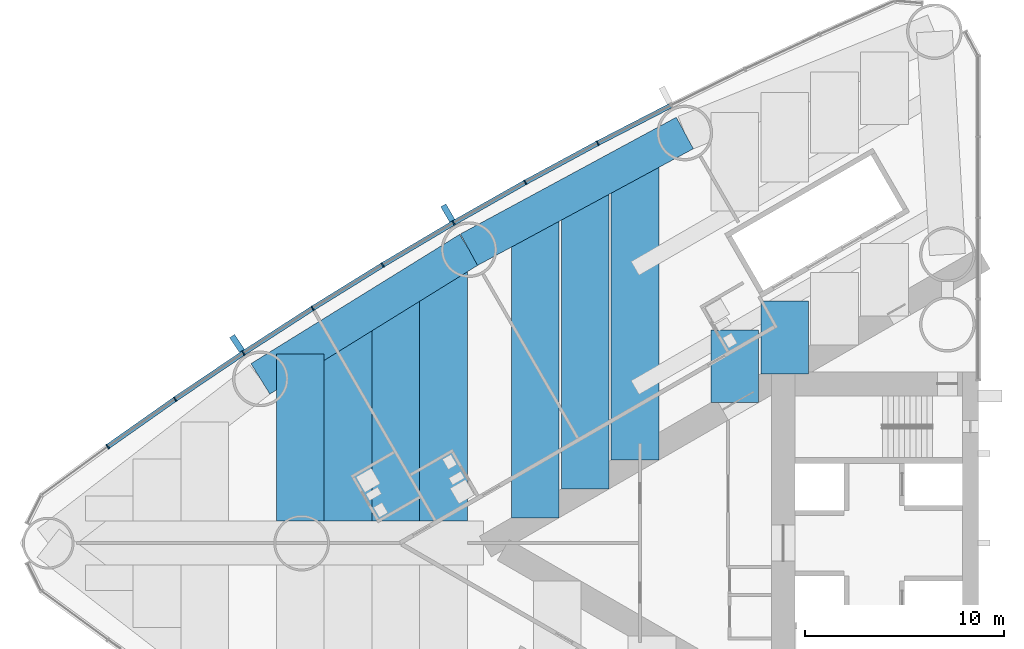
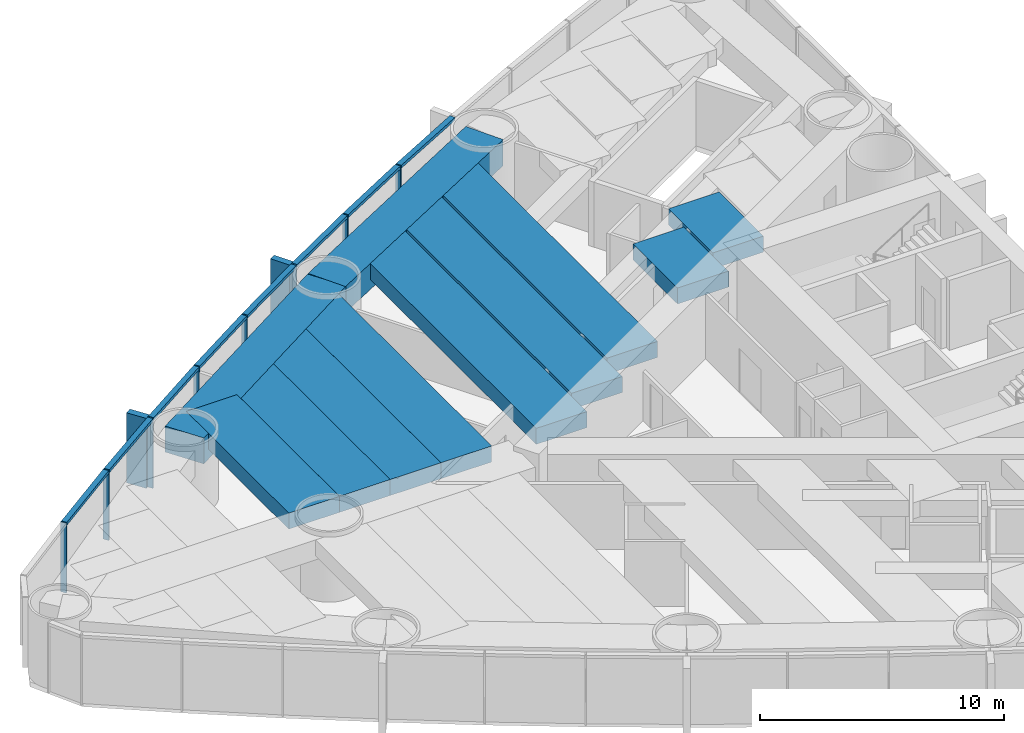
# One storey, part 4 of 19: 18 members, 11 beams, 1 element without a shape of its own.
"""IFC4 building model written with IfcOpenShell, lengths in metres."""

from ifc_helpers import new_model, si_unit, direction, frame, origin, origin_2d, place, context, subcontext, project, spatial, rectangle, extrude, material, material_profile, profile_set, type_object, element, aggregate, save


model = new_model("IFC4")

# Units and contexts
model_context = context("Model", 3, precision=1e-05, world=origin(), true_north=direction((0.0, 1.0)))
body_context = subcontext(model_context, "Body", "Model", "MODEL_VIEW")
ifc_project = project(units=[si_unit("LENGTHUNIT", "METRE"), si_unit("AREAUNIT", "SQUARE_METRE"), si_unit("VOLUMEUNIT", "CUBIC_METRE"), si_unit("PLANEANGLEUNIT", "RADIAN"), si_unit("MASSUNIT", "GRAM", prefix="KILO")], contexts=[model_context])

# Site, building, storey
site_placement = place(None, origin())
site = spatial("IfcSite", under=ifc_project, at=site_placement, CompositionType="ELEMENT")
building_placement = place(site_placement, origin())
building = spatial("IfcBuilding", under=site, at=building_placement, Name="Lancet Gate Hotel", CompositionType="ELEMENT")
storey_placement = place(building_placement, frame((0.0, 0.0, 35.5)))
storey = spatial("IfcBuildingStorey", under=building, at=storey_placement, Name="L08", CompositionType="ELEMENT", Elevation=35.5)

# Curtain wall, members
ifc_material_1 = material(Name="Aluminium curtain wall", Category="aluminium")
curtain_wall_type = type_object("IfcCurtainWallType", Name="Tower unitised curtain wall", PredefinedType="USERDEFINED", material=ifc_material_1)
curtain_wall_placement = place(storey_placement, origin())
curtain_wall = element("IfcCurtainWall", 1, at=curtain_wall_placement, inside=storey, type_object=curtain_wall_type, Name="T1 L08 curtain wall 2", ObjectType="UNITISED CURTAIN WALL", PredefinedType="USERDEFINED")
ifc_material_2 = material(Name="Aluminium mullion", Category="aluminium")
ifc_material_profile_1 = material_profile(ifc_material_2, rectangle(XDim=0.06494140625, YDim=0.25, at=origin_2d()), Name="MULLION 65x250")
ifc_profile_set_1 = profile_set([ifc_material_profile_1], Name="Aluminium mullion")
member_type_1 = type_object("IfcMemberType", Name="Aluminium mullion 65x250", PredefinedType="MULLION", material=ifc_profile_set_1)
member_1_placement = place(storey_placement, frame((-46.6220703125, 20.094970703125, 0.0), z_axis=(0.0, 0.0, 1.0), x_axis=(-0.884311132302, -0.466898084475, 0.0)))
member_1 = element("IfcMember", 2, at=member_1_placement, type_object=member_type_1, Name="T1 L08 curtain wall 2 mullion 6", PredefinedType="MULLION", context=body_context, shape_type="SweptSolid", body=[
    extrude(rectangle(XDim=0.06494140625, YDim=0.25, at=origin_2d()), origin(), (0.0, 0.0, 1.0), 3.5),
])
member_2_placement = place(storey_placement, frame((-50.26416015625, 18.1259765625, 0.0), z_axis=(0.0, 0.0, 1.0), x_axis=(-0.874991035403, -0.484139120464, 0.0)))
member_2 = element("IfcMember", 3, at=member_2_placement, type_object=member_type_1, Name="T1 L08 curtain wall 2 mullion 7", PredefinedType="MULLION", context=body_context, shape_type="SweptSolid", body=[
    extrude(rectangle(XDim=0.06494140625, YDim=0.25, at=origin_2d()), origin(), (0.0, 0.0, 1.0), 3.5),
])
member_3_placement = place(storey_placement, frame((-53.866943359375, 16.086181640625, 0.0), z_axis=(0.0, 0.0, 1.0), x_axis=(-0.86533483912, -0.501194190115, 0.0)))
member_3 = element("IfcMember", 4, at=member_3_placement, type_object=member_type_1, Name="T1 L08 curtain wall 2 mullion 8", PredefinedType="MULLION", context=body_context, shape_type="SweptSolid", body=[
    extrude(rectangle(XDim=0.06494140625, YDim=0.25, at=origin_2d()), origin(), (0.0, 0.0, 1.0), 3.5),
])
member_4_placement = place(storey_placement, frame((-57.42919921875, 13.97607421875, 0.0), z_axis=(0.0, 0.0, 1.0), x_axis=(-0.855346252548, -0.518056742309, 0.0)))
member_4 = element("IfcMember", 5, at=member_4_placement, type_object=member_type_1, Name="T1 L08 curtain wall 2 mullion 9", PredefinedType="MULLION", context=body_context, shape_type="SweptSolid", body=[
    extrude(rectangle(XDim=0.06494140625, YDim=0.25, at=origin_2d()), origin(), (0.0, 0.0, 1.0), 3.5),
])
member_5_placement = place(storey_placement, frame((-60.949462890625, 11.796630859375, 0.0), z_axis=(0.0, 0.0, 1.0), x_axis=(-0.845029112489, -0.534720299827, 0.0)))
member_5 = element("IfcMember", 6, at=member_5_placement, type_object=member_type_1, Name="T1 L08 curtain wall 2 mullion 10", PredefinedType="MULLION", context=body_context, shape_type="SweptSolid", body=[
    extrude(rectangle(XDim=0.06494140625, YDim=0.25, at=origin_2d()), origin(), (0.0, 0.0, 1.0), 3.5),
])
member_6_placement = place(storey_placement, frame((-64.42626953125, 9.548583984375, 0.0), z_axis=(0.0, 0.0, 1.0), x_axis=(-0.834387381945, -0.55117846189, 0.0)))
member_6 = element("IfcMember", 7, at=member_6_placement, type_object=member_type_1, Name="T1 L08 curtain wall 2 mullion 11", PredefinedType="MULLION", context=body_context, shape_type="SweptSolid", body=[
    extrude(rectangle(XDim=0.06494140625, YDim=0.25, at=origin_2d()), origin(), (0.0, 0.0, 1.0), 3.5),
])
member_7_placement = place(storey_placement, frame((-67.858154296875, 7.232666015625, 0.0), z_axis=(0.0, 0.0, 1.0), x_axis=(-0.823425148573, -0.56742490666, 0.0)))
member_7 = element("IfcMember", 8, at=member_7_placement, type_object=member_type_1, Name="T1 L08 curtain wall 2 mullion 12", PredefinedType="MULLION", context=body_context, shape_type="SweptSolid", body=[
    extrude(rectangle(XDim=0.06494140625, YDim=0.25, at=origin_2d()), origin(), (0.0, 0.0, 1.0), 3.5),
])
member_8_placement = place(storey_placement, frame((-71.244384765625, 4.85009765625, 0.0), z_axis=(0.0, 0.0, 1.0), x_axis=(-0.812146623168, -0.583453393578, 0.0)))
member_8 = element("IfcMember", 9, at=member_8_placement, type_object=member_type_1, Name="T1 L08 curtain wall 2 mullion 13", PredefinedType="MULLION", context=body_context, shape_type="SweptSolid", body=[
    extrude(rectangle(XDim=0.06494140625, YDim=0.25, at=origin_2d()), origin(), (0.0, 0.0, 1.0), 3.5),
])
ifc_material_3 = material(Name="Aluminium transom", Category="aluminium")
ifc_material_profile_2 = material_profile(ifc_material_3, rectangle(XDim=0.25, YDim=0.14990234375, at=origin_2d()), Name="TRANSOM 250x150")
ifc_profile_set_2 = profile_set([ifc_material_profile_2], Name="Aluminium transom")
member_type_2 = type_object("IfcMemberType", Name="Aluminium transom 250x150", PredefinedType="USERDEFINED", material=ifc_profile_set_2)
member_9_placement = place(storey_placement, frame((-42.970703125, 21.97705078125, 3.425048828125), z_axis=(-0.888859972399, -0.458178949175, 0.0), x_axis=(0.458178949175, -0.888859972399, 0.0)))
member_9 = element("IfcMember", 10, at=member_9_placement, type_object=member_type_2, Name="T1 L08 curtain wall 2 transom 5", ObjectType="TRANSOM", PredefinedType="USERDEFINED", context=body_context, shape_type="SweptSolid", body=[
    extrude(rectangle(XDim=0.25, YDim=0.14990234375, at=origin_2d()), origin(), (0.0, 0.0, 1.0), 4.0751953125),
])
member_10_placement = place(storey_placement, frame((-46.650634765625, 20.079345703125, 3.425048828125), z_axis=(-0.87971396408, -0.475503250675, 0.0), x_axis=(0.475503250675, -0.87971396408, 0.0)))
member_10 = element("IfcMember", 11, at=member_10_placement, type_object=member_type_2, Name="T1 L08 curtain wall 2 transom 6", ObjectType="TRANSOM", PredefinedType="USERDEFINED", context=body_context, shape_type="SweptSolid", body=[
    extrude(rectangle(XDim=0.25, YDim=0.14990234375, at=origin_2d()), origin(), (0.0, 0.0, 1.0), 4.0751953125),
])
member_11_placement = place(storey_placement, frame((-50.29248046875, 18.110107421875, 3.425048828125), z_axis=(-0.870197729943, -0.492702659625, 0.0), x_axis=(0.492702659625, -0.870197729943, 0.0)))
member_11 = element("IfcMember", 12, at=member_11_placement, type_object=member_type_2, Name="T1 L08 curtain wall 2 transom 7", ObjectType="TRANSOM", PredefinedType="USERDEFINED", context=body_context, shape_type="SweptSolid", body=[
    extrude(rectangle(XDim=0.25, YDim=0.14990234375, at=origin_2d()), origin(), (0.0, 0.0, 1.0), 4.0751953125),
])
member_12_placement = place(storey_placement, frame((-53.89501953125, 16.069580078125, 3.425048828125), z_axis=(-0.86039174806, -0.509633240547, 0.0), x_axis=(0.509633240547, -0.86039174806, 0.0)))
member_12 = element("IfcMember", 13, at=member_12_placement, type_object=member_type_2, Name="T1 L08 curtain wall 2 transom 8", ObjectType="TRANSOM", PredefinedType="USERDEFINED", context=body_context, shape_type="SweptSolid", body=[
    extrude(rectangle(XDim=0.25, YDim=0.14990234375, at=origin_2d()), origin(), (0.0, 0.0, 1.0), 4.0751953125),
])
member_13_placement = place(storey_placement, frame((-57.456787109375, 13.958984375, 3.425048828125), z_axis=(-0.850242165643, -0.526391736032, 0.0), x_axis=(0.526391736032, -0.850242165643, 0.0)))
member_13 = element("IfcMember", 14, at=member_13_placement, type_object=member_type_2, Name="T1 L08 curtain wall 2 transom 9", ObjectType="TRANSOM", PredefinedType="USERDEFINED", context=body_context, shape_type="SweptSolid", body=[
    extrude(rectangle(XDim=0.25, YDim=0.14990234375, at=origin_2d()), origin(), (0.0, 0.0, 1.0), 4.075439453125),
])
member_14_placement = place(storey_placement, frame((-60.976806640625, 11.779052734375, 3.425048828125), z_axis=(-0.839729242404, -0.543005340169, 0.0), x_axis=(0.543005340169, -0.839729242404, 0.0)))
member_14 = element("IfcMember", 15, at=member_14_placement, type_object=member_type_2, Name="T1 L08 curtain wall 2 transom 10", ObjectType="TRANSOM", PredefinedType="USERDEFINED", context=body_context, shape_type="SweptSolid", body=[
    extrude(rectangle(XDim=0.25, YDim=0.14990234375, at=origin_2d()), origin(), (0.0, 0.0, 1.0), 4.0751953125),
])
member_15_placement = place(storey_placement, frame((-64.453125, 9.5302734375, 3.425048828125), z_axis=(-0.828959086782, -0.559309245804, 0.0), x_axis=(0.559309245804, -0.828959086782, 0.0)))
member_15 = element("IfcMember", 16, at=member_15_placement, type_object=member_type_2, Name="T1 L08 curtain wall 2 transom 11", ObjectType="TRANSOM", PredefinedType="USERDEFINED", context=body_context, shape_type="SweptSolid", body=[
    extrude(rectangle(XDim=0.25, YDim=0.14990234375, at=origin_2d()), origin(), (0.0, 0.0, 1.0), 4.0751953125),
])
member_16_placement = place(storey_placement, frame((-67.884765625, 7.214111328125, 3.425048828125), z_axis=(-0.817833568345, -0.57545482402, 0.0), x_axis=(0.57545482402, -0.817833568345, 0.0)))
member_16 = element("IfcMember", 17, at=member_16_placement, type_object=member_type_2, Name="T1 L08 curtain wall 2 transom 12", ObjectType="TRANSOM", PredefinedType="USERDEFINED", context=body_context, shape_type="SweptSolid", body=[
    extrude(rectangle(XDim=0.25, YDim=0.14990234375, at=origin_2d()), origin(), (0.0, 0.0, 1.0), 4.075439453125),
])

# Beams
ifc_material_4 = material(Name="Concrete C50/60", Category="concrete")
ifc_material_profile_3 = material_profile(ifc_material_4, rectangle(XDim=1.800048828125, YDim=1.300048828125, at=origin_2d()), Name="RC 1800x1300")
ifc_profile_set_3 = profile_set([ifc_material_profile_3], Name="Concrete C50/60")
beam_type_1 = type_object("IfcBeamType", Name="Edge beam RC 1800x1300", PredefinedType="SPANDREL", material=ifc_profile_set_3)
for number, where, z_axis, x_axis, name in (
    (18, (-42.2451171875, 20.607421875, 2.60009765625), (-0.879692855603, -0.475542300749, 0.0), (0.475542300749, -0.879692855603, 0.0), "T1 edge beam EB1 L08"),
    (19, (-53.090087890625, 14.744873046875, 2.60009765625), (-0.850225894333, -0.526418016984, 0.0), (0.526418016984, -0.850225894333, 0.0), "T1 edge beam EB1 L08"),
):
    element("IfcBeam", number, at=place(storey_placement, frame(where, z_axis=z_axis, x_axis=x_axis)), inside=storey, type_object=beam_type_1, Name=name, PredefinedType="SPANDREL", context=body_context, shape_type="SweptSolid", body=[
        extrude(rectangle(XDim=1.800048828125, YDim=1.300048828125, at=origin_2d()), origin(), (0.0, 0.0, 1.0), 12.328125),
    ])

# Member
ifc_material_5 = material(Name="Precast concrete C50/60", Category="concrete")
ifc_material_profile_4 = material_profile(ifc_material_5, rectangle(XDim=0.300048828125, YDim=0.89990234375, at=origin_2d()), Name="FIN 300x900")
ifc_profile_set_4 = profile_set([ifc_material_profile_4], Name="Precast concrete C50/60")
member_type_3 = type_object("IfcMemberType", Name="Exposed concrete fin 300x900", PredefinedType="USERDEFINED", material=ifc_profile_set_4)
member_17_placement = place(storey_placement, frame((-54.1552734375, 16.583740234375, 0.0), z_axis=(0.0, 0.0, 1.0), x_axis=(-0.86533483912, -0.501194190115, 0.0)))
member_17 = element("IfcMember", 20, at=member_17_placement, type_object=member_type_3, Name="T1 L08 curtain wall 2 fin 8", ObjectType="FIN", PredefinedType="USERDEFINED", context=body_context, shape_type="SweptSolid", body=[
    extrude(rectangle(XDim=0.300048828125, YDim=0.89990234375, at=origin_2d()), origin(), (0.0, 0.0, 1.0), 3.5),
])

member_18_placement = place(storey_placement, frame((-64.7431640625, 10.0283203125, 0.0), z_axis=(0.0, 0.0, 1.0), x_axis=(-0.834387381945, -0.55117846189, 0.0)))
member_18 = element("IfcMember", 21, at=member_18_placement, type_object=member_type_3, Name="T1 L08 curtain wall 2 fin 11", ObjectType="FIN", PredefinedType="USERDEFINED", context=body_context, shape_type="SweptSolid", body=[
    extrude(rectangle(XDim=0.300048828125, YDim=0.89990234375, at=origin_2d()), origin(), (0.0, 0.0, 1.0), 3.5),
])

aggregate(curtain_wall, [member_1, member_2, member_3, member_17, member_4, member_5, member_6, member_18, member_7, member_8, member_9, member_10, member_11, member_12, member_13, member_14, member_15, member_16])

# Beams
ifc_material_6 = material(Name="Concrete C50/60", Category="concrete")
ifc_material_profile_5 = material_profile(ifc_material_6, rectangle(XDim=2.39990234375, YDim=0.800048828125, at=origin_2d()), Name="RC 2400x800")
ifc_profile_set_5 = profile_set([ifc_material_profile_5], Name="Concrete C50/60")
beam_type_2 = type_object("IfcBeamType", Name="Floor beam RC 2400x800", PredefinedType="BEAM", material=ifc_profile_set_5)
beam_1_placement = place(storey_placement, frame((-44.747802734375, 19.254638671875, 2.85009765625), z_axis=(0.0, -1.0, 0.0), x_axis=(1.0, 0.0, 0.0)))
element("IfcBeam", 22, at=beam_1_placement, inside=storey, type_object=beam_type_2, Name="T1 floor beam F09S L08", PredefinedType="BEAM", context=body_context, shape_type="SweptSolid", body=[
    extrude(rectangle(XDim=2.39990234375, YDim=0.800048828125, at=origin_2d()), origin(), (0.0, 0.0, 1.0), 15.0859375),
])
beam_2_placement = place(storey_placement, frame((-47.254638671875, 17.8994140625, 2.85009765625), z_axis=(0.0, -1.0, 0.0), x_axis=(1.0, 0.0, 0.0)))
element("IfcBeam", 23, at=beam_2_placement, inside=storey, type_object=beam_type_2, Name="T1 floor beam F10S L08", PredefinedType="BEAM", context=body_context, shape_type="SweptSolid", body=[
    extrude(rectangle(XDim=2.39990234375, YDim=0.800048828125, at=origin_2d()), origin(), (0.0, 0.0, 1.0), 15.177978515625),
])
beam_3_placement = place(storey_placement, frame((-49.761474609375, 16.54443359375, 2.85009765625), z_axis=(0.0, -1.0, 0.0), x_axis=(1.0, 0.0, 0.0)))
element("IfcBeam", 24, at=beam_3_placement, inside=storey, type_object=beam_type_2, Name="T1 floor beam F12S L08", PredefinedType="BEAM", context=body_context, shape_type="SweptSolid", body=[
    extrude(rectangle(XDim=2.39990234375, YDim=0.800048828125, at=origin_2d()), origin(), (0.0, 0.0, 1.0), 15.270263671875),
])
beam_4_placement = place(storey_placement, frame((-54.3681640625, 13.95361328125, 2.85009765625), z_axis=(0.0, -1.0, 0.0), x_axis=(1.0, 0.0, 0.0)))
element("IfcBeam", 25, at=beam_4_placement, inside=storey, type_object=beam_type_2, Name="T1 floor beam F13S L08", PredefinedType="BEAM", context=body_context, shape_type="SweptSolid", body=[
    extrude(rectangle(XDim=2.39990234375, YDim=0.800048828125, at=origin_2d()), origin(), (0.0, 0.0, 1.0), 12.853515625),
])
beam_5_placement = place(storey_placement, frame((-56.768310546875, 12.467529296875, 2.85009765625), z_axis=(0.0, -1.0, 0.0), x_axis=(1.0, 0.0, 0.0)))
element("IfcBeam", 26, at=beam_5_placement, inside=storey, type_object=beam_type_2, Name="T1 floor beam F15S L08", PredefinedType="BEAM", context=body_context, shape_type="SweptSolid", body=[
    extrude(rectangle(XDim=2.39990234375, YDim=0.800048828125, at=origin_2d()), origin(), (0.0, 0.0, 1.0), 11.367431640625),
])
beam_6_placement = place(storey_placement, frame((-59.168212890625, 10.981689453125, 2.85009765625), z_axis=(0.0, -1.0, 0.0), x_axis=(1.0, 0.0, 0.0)))
element("IfcBeam", 27, at=beam_6_placement, inside=storey, type_object=beam_type_2, Name="T1 floor beam F17S L08", PredefinedType="BEAM", context=body_context, shape_type="SweptSolid", body=[
    extrude(rectangle(XDim=2.39990234375, YDim=0.800048828125, at=origin_2d()), origin(), (0.0, 0.0, 1.0), 9.881591796875),
])
beam_7_placement = place(storey_placement, frame((-61.568359375, 9.495849609375, 2.85009765625), z_axis=(0.0, -1.0, 0.0), x_axis=(1.0, 0.0, 0.0)))
element("IfcBeam", 28, at=beam_7_placement, inside=storey, type_object=beam_type_2, Name="T1 floor beam F19S L08", PredefinedType="BEAM", context=body_context, shape_type="SweptSolid", body=[
    extrude(rectangle(XDim=2.39990234375, YDim=0.800048828125, at=origin_2d()), origin(), (0.0, 0.0, 1.0), 8.395751953125),
])
beam_8_placement = place(storey_placement, frame((-37.227294921875, 12.15625, 2.85009765625), z_axis=(0.0, -1.0, 0.0), x_axis=(1.0, 0.0, 0.0)))
element("IfcBeam", 29, at=beam_8_placement, inside=storey, type_object=beam_type_2, Name="T1 floor beam F05SB L08", PredefinedType="BEAM", context=body_context, shape_type="SweptSolid", body=[
    extrude(rectangle(XDim=2.39990234375, YDim=0.800048828125, at=origin_2d()), origin(), (0.0, 0.0, 1.0), 3.6455078125),
])
beam_9_placement = place(storey_placement, frame((-39.734130859375, 10.708740234375, 2.85009765625), z_axis=(0.0, -1.0, 0.0), x_axis=(1.0, 0.0, 0.0)))
element("IfcBeam", 30, at=beam_9_placement, inside=storey, type_object=beam_type_2, Name="T1 floor beam F07SB L08", PredefinedType="BEAM", context=body_context, shape_type="SweptSolid", body=[
    extrude(rectangle(XDim=2.39990234375, YDim=0.800048828125, at=origin_2d()), origin(), (0.0, 0.0, 1.0), 3.645263671875),
])

save(model, "model.ifc")
